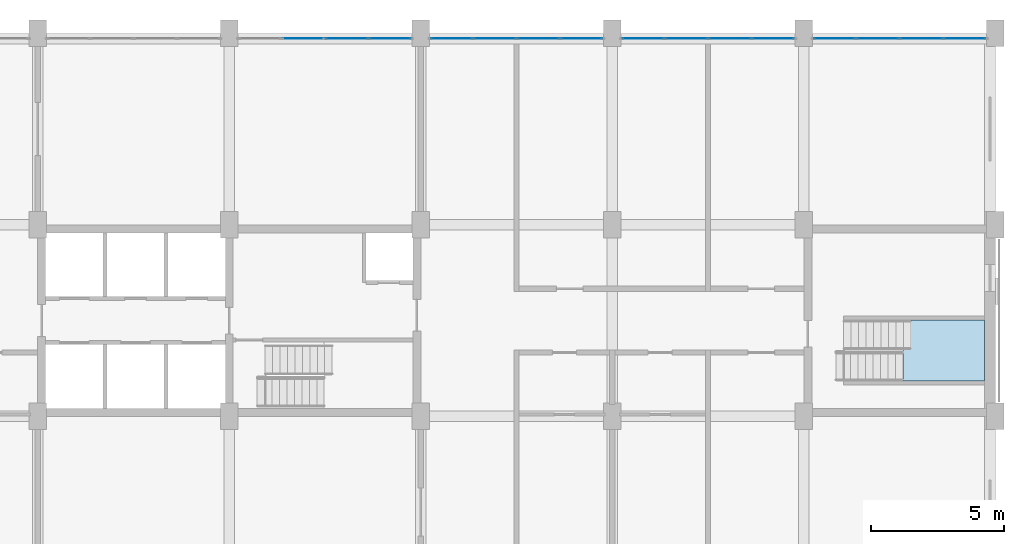
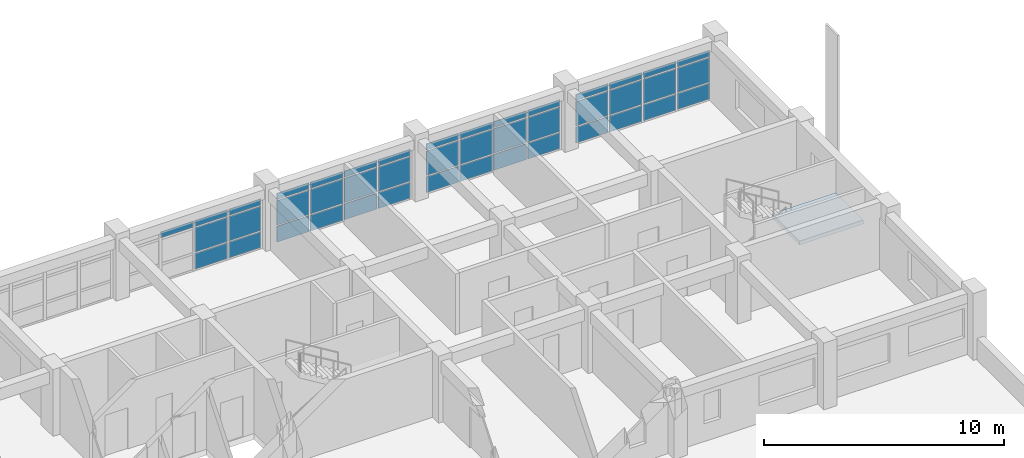
# One storey, part 21 of 31: 43 plates, 1 slab, 5 elements without a shape of their own.
"""IFC4 building model written with IfcOpenShell, lengths in metres."""

from ifc_helpers import new_model, si_unit, direction, frame, origin, origin_2d, place, context, subcontext, project, spatial, polyline, rectangle, outline, extrude, material, layer, layer_set, type_object, element, aggregate, save


model = new_model("IFC4")

# Units and contexts
model_context = context("Model", 3, precision=1e-05, world=origin(), true_north=direction((0.0, 1.0)))
body_context = subcontext(model_context, "Body", "Model", "MODEL_VIEW")
ifc_project = project(units=[si_unit("LENGTHUNIT", "METRE"), si_unit("AREAUNIT", "SQUARE_METRE"), si_unit("VOLUMEUNIT", "CUBIC_METRE"), si_unit("PLANEANGLEUNIT", "RADIAN"), si_unit("MASSUNIT", "GRAM", prefix="KILO")], contexts=[model_context])

# Site, building, storey
site_placement = place(None, origin())
site = spatial("IfcSite", under=ifc_project, at=site_placement, CompositionType="ELEMENT")
building_placement = place(site_placement, origin())
building = spatial("IfcBuilding", under=site, at=building_placement, Name="Vermilion Court Aquatics Centre", CompositionType="ELEMENT")
storey_placement = place(building_placement, frame((0.0, 0.0, 16.5)))
storey = spatial("IfcBuildingStorey", under=building, at=storey_placement, Name="L03", CompositionType="ELEMENT", Elevation=16.5)

# Curtain wall, plates
ifc_material_1 = material(Name="Aluminium 6063-T5", Category="aluminium")
curtain_wall_type = type_object("IfcCurtainWallType", Name="North block glazed bay curtain wall 1800 module", PredefinedType="NOTDEFINED", material=ifc_material_1)
curtain_wall_1_placement = place(storey_placement, origin())
curtain_wall_1 = element("IfcCurtainWall", 1, at=curtain_wall_1_placement, inside=storey, type_object=curtain_wall_type, Name="North glazed bay 4 L03", PredefinedType="NOTDEFINED")
ifc_material_2 = material(Name="Glazing", Category="glass")
ifc_layer_1 = layer(ifc_material_2, 0.028076171875)
ifc_layer_set_1 = layer_set([ifc_layer_1], Name="North block curtain wall glazing panel 28")
plate_type = type_object("IfcPlateType", Name="North block curtain wall glazing panel 28", PredefinedType="CURTAIN_PANEL", material=ifc_layer_set_1)
plate_1_placement = place(storey_placement, frame((168.38134765625, 115.0, 2.22998046875), z_axis=(0.0, 0.0, 1.0), x_axis=(1.0, 0.0, 0.0)))
plate_1 = element("IfcPlate", 2, at=plate_1_placement, type_object=plate_type, Name="UCW1 panel 2.3", PredefinedType="CURTAIN_PANEL", context=body_context, shape_type="SweptSolid", body=[
    extrude(rectangle(XDim=1.577392578125, YDim=0.028076171875, at=origin_2d()), origin(), (0.0, 0.0, 1.0), 0.31005859375),
])
plate_2_placement = place(storey_placement, frame((170.018798828125, 115.0, 0.06005859375), z_axis=(0.0, 0.0, 1.0), x_axis=(1.0, 0.0, 0.0)))
plate_2 = element("IfcPlate", 3, at=plate_2_placement, type_object=plate_type, Name="UCW1 panel 3.1", PredefinedType="CURTAIN_PANEL", context=body_context, shape_type="SweptSolid", body=[
    extrude(rectangle(XDim=1.577392578125, YDim=0.028076171875, at=origin_2d()), origin(), (0.0, 0.0, 1.0), 0.81005859375),
])
plate_3_placement = place(storey_placement, frame((170.018798828125, 115.0, 0.93017578125), z_axis=(0.0, 0.0, 1.0), x_axis=(1.0, 0.0, 0.0)))
plate_3 = element("IfcPlate", 4, at=plate_3_placement, type_object=plate_type, Name="UCW1 panel 3.2", PredefinedType="CURTAIN_PANEL", context=body_context, shape_type="SweptSolid", body=[
    extrude(rectangle(XDim=1.577392578125, YDim=0.028076171875, at=origin_2d()), origin(), (0.0, 0.0, 1.0), 1.239990234375),
])
plate_4_placement = place(storey_placement, frame((170.018798828125, 115.0, 2.22998046875), z_axis=(0.0, 0.0, 1.0), x_axis=(1.0, 0.0, 0.0)))
plate_4 = element("IfcPlate", 5, at=plate_4_placement, type_object=plate_type, Name="UCW1 panel 3.3", PredefinedType="CURTAIN_PANEL", context=body_context, shape_type="SweptSolid", body=[
    extrude(rectangle(XDim=1.577392578125, YDim=0.028076171875, at=origin_2d()), origin(), (0.0, 0.0, 1.0), 0.31005859375),
])
plate_5_placement = place(storey_placement, frame((171.641357421875, 115.0, 0.06005859375), z_axis=(0.0, 0.0, 1.0), x_axis=(1.0, 0.0, 0.0)))
plate_5 = element("IfcPlate", 6, at=plate_5_placement, type_object=plate_type, Name="UCW1 panel 4.1", PredefinedType="CURTAIN_PANEL", context=body_context, shape_type="SweptSolid", body=[
    extrude(rectangle(XDim=1.547607421875, YDim=0.028076171875, at=origin_2d()), origin(), (0.0, 0.0, 1.0), 0.81005859375),
])
plate_6_placement = place(storey_placement, frame((171.641357421875, 115.0, 0.93017578125), z_axis=(0.0, 0.0, 1.0), x_axis=(1.0, 0.0, 0.0)))
plate_6 = element("IfcPlate", 7, at=plate_6_placement, type_object=plate_type, Name="UCW1 panel 4.2", PredefinedType="CURTAIN_PANEL", context=body_context, shape_type="SweptSolid", body=[
    extrude(rectangle(XDim=1.547607421875, YDim=0.028076171875, at=origin_2d()), origin(), (0.0, 0.0, 1.0), 1.239990234375),
])
plate_7_placement = place(storey_placement, frame((171.641357421875, 115.0, 2.22998046875), z_axis=(0.0, 0.0, 1.0), x_axis=(1.0, 0.0, 0.0)))
plate_7 = element("IfcPlate", 8, at=plate_7_placement, type_object=plate_type, Name="UCW1 panel 4.3", PredefinedType="CURTAIN_PANEL", context=body_context, shape_type="SweptSolid", body=[
    extrude(rectangle(XDim=1.547607421875, YDim=0.028076171875, at=origin_2d()), origin(), (0.0, 0.0, 1.0), 0.31005859375),
])
aggregate(curtain_wall_1, [plate_1, plate_2, plate_3, plate_4, plate_5, plate_6, plate_7])

curtain_wall_2_placement = place(storey_placement, origin())
curtain_wall_2 = element("IfcCurtainWall", 9, at=curtain_wall_2_placement, inside=storey, type_object=curtain_wall_type, Name="North glazed bay 5 L03", PredefinedType="NOTDEFINED")
plate_8_placement = place(storey_placement, frame((173.958740234375, 115.0, 0.06005859375), z_axis=(0.0, 0.0, 1.0), x_axis=(1.0, 0.0, 0.0)))
plate_8 = element("IfcPlate", 10, at=plate_8_placement, type_object=plate_type, Name="UCW1 panel 1.1", PredefinedType="CURTAIN_PANEL", context=body_context, shape_type="SweptSolid", body=[
    extrude(rectangle(XDim=1.547607421875, YDim=0.028076171875, at=origin_2d()), origin(), (0.0, 0.0, 1.0), 0.81005859375),
])
plate_9_placement = place(storey_placement, frame((173.958740234375, 115.0, 0.93017578125), z_axis=(0.0, 0.0, 1.0), x_axis=(1.0, 0.0, 0.0)))
plate_9 = element("IfcPlate", 11, at=plate_9_placement, type_object=plate_type, Name="UCW1 panel 1.2", PredefinedType="CURTAIN_PANEL", context=body_context, shape_type="SweptSolid", body=[
    extrude(rectangle(XDim=1.547607421875, YDim=0.028076171875, at=origin_2d()), origin(), (0.0, 0.0, 1.0), 1.239990234375),
])
plate_10_placement = place(storey_placement, frame((173.958740234375, 115.0, 2.22998046875), z_axis=(0.0, 0.0, 1.0), x_axis=(1.0, 0.0, 0.0)))
plate_10 = element("IfcPlate", 12, at=plate_10_placement, type_object=plate_type, Name="UCW1 panel 1.3", PredefinedType="CURTAIN_PANEL", context=body_context, shape_type="SweptSolid", body=[
    extrude(rectangle(XDim=1.547607421875, YDim=0.028076171875, at=origin_2d()), origin(), (0.0, 0.0, 1.0), 0.31005859375),
])
plate_11_placement = place(storey_placement, frame((175.581298828125, 115.0, 0.06005859375), z_axis=(0.0, 0.0, 1.0), x_axis=(1.0, 0.0, 0.0)))
plate_11 = element("IfcPlate", 13, at=plate_11_placement, type_object=plate_type, Name="UCW1 panel 2.1", PredefinedType="CURTAIN_PANEL", context=body_context, shape_type="SweptSolid", body=[
    extrude(rectangle(XDim=1.577392578125, YDim=0.028076171875, at=origin_2d()), origin(), (0.0, 0.0, 1.0), 0.81005859375),
])
plate_12_placement = place(storey_placement, frame((175.581298828125, 115.0, 0.93017578125), z_axis=(0.0, 0.0, 1.0), x_axis=(1.0, 0.0, 0.0)))
plate_12 = element("IfcPlate", 14, at=plate_12_placement, type_object=plate_type, Name="UCW1 panel 2.2", PredefinedType="CURTAIN_PANEL", context=body_context, shape_type="SweptSolid", body=[
    extrude(rectangle(XDim=1.577392578125, YDim=0.028076171875, at=origin_2d()), origin(), (0.0, 0.0, 1.0), 1.239990234375),
])
plate_13_placement = place(storey_placement, frame((175.581298828125, 115.0, 2.22998046875), z_axis=(0.0, 0.0, 1.0), x_axis=(1.0, 0.0, 0.0)))
plate_13 = element("IfcPlate", 15, at=plate_13_placement, type_object=plate_type, Name="UCW1 panel 2.3", PredefinedType="CURTAIN_PANEL", context=body_context, shape_type="SweptSolid", body=[
    extrude(rectangle(XDim=1.577392578125, YDim=0.028076171875, at=origin_2d()), origin(), (0.0, 0.0, 1.0), 0.31005859375),
])
plate_14_placement = place(storey_placement, frame((177.21875, 115.0, 0.06005859375), z_axis=(0.0, 0.0, 1.0), x_axis=(1.0, 0.0, 0.0)))
plate_14 = element("IfcPlate", 16, at=plate_14_placement, type_object=plate_type, Name="UCW1 panel 3.1", PredefinedType="CURTAIN_PANEL", context=body_context, shape_type="SweptSolid", body=[
    extrude(rectangle(XDim=1.577392578125, YDim=0.028076171875, at=origin_2d()), origin(), (0.0, 0.0, 1.0), 0.81005859375),
])
plate_15_placement = place(storey_placement, frame((177.21875, 115.0, 0.93017578125), z_axis=(0.0, 0.0, 1.0), x_axis=(1.0, 0.0, 0.0)))
plate_15 = element("IfcPlate", 17, at=plate_15_placement, type_object=plate_type, Name="UCW1 panel 3.2", PredefinedType="CURTAIN_PANEL", context=body_context, shape_type="SweptSolid", body=[
    extrude(rectangle(XDim=1.577392578125, YDim=0.028076171875, at=origin_2d()), origin(), (0.0, 0.0, 1.0), 1.239990234375),
])
plate_16_placement = place(storey_placement, frame((177.21875, 115.0, 2.22998046875), z_axis=(0.0, 0.0, 1.0), x_axis=(1.0, 0.0, 0.0)))
plate_16 = element("IfcPlate", 18, at=plate_16_placement, type_object=plate_type, Name="UCW1 panel 3.3", PredefinedType="CURTAIN_PANEL", context=body_context, shape_type="SweptSolid", body=[
    extrude(rectangle(XDim=1.577392578125, YDim=0.028076171875, at=origin_2d()), origin(), (0.0, 0.0, 1.0), 0.31005859375),
])
plate_17_placement = place(storey_placement, frame((178.84130859375, 115.0, 0.06005859375), z_axis=(0.0, 0.0, 1.0), x_axis=(1.0, 0.0, 0.0)))
plate_17 = element("IfcPlate", 19, at=plate_17_placement, type_object=plate_type, Name="UCW1 panel 4.1", PredefinedType="CURTAIN_PANEL", context=body_context, shape_type="SweptSolid", body=[
    extrude(rectangle(XDim=1.547607421875, YDim=0.028076171875, at=origin_2d()), origin(), (0.0, 0.0, 1.0), 0.81005859375),
])
plate_18_placement = place(storey_placement, frame((178.84130859375, 115.0, 0.93017578125), z_axis=(0.0, 0.0, 1.0), x_axis=(1.0, 0.0, 0.0)))
plate_18 = element("IfcPlate", 20, at=plate_18_placement, type_object=plate_type, Name="UCW1 panel 4.2", PredefinedType="CURTAIN_PANEL", context=body_context, shape_type="SweptSolid", body=[
    extrude(rectangle(XDim=1.547607421875, YDim=0.028076171875, at=origin_2d()), origin(), (0.0, 0.0, 1.0), 1.239990234375),
])
plate_19_placement = place(storey_placement, frame((178.84130859375, 115.0, 2.22998046875), z_axis=(0.0, 0.0, 1.0), x_axis=(1.0, 0.0, 0.0)))
plate_19 = element("IfcPlate", 21, at=plate_19_placement, type_object=plate_type, Name="UCW1 panel 4.3", PredefinedType="CURTAIN_PANEL", context=body_context, shape_type="SweptSolid", body=[
    extrude(rectangle(XDim=1.547607421875, YDim=0.028076171875, at=origin_2d()), origin(), (0.0, 0.0, 1.0), 0.31005859375),
])
aggregate(curtain_wall_2, [plate_8, plate_9, plate_10, plate_11, plate_12, plate_13, plate_14, plate_15, plate_16, plate_17, plate_18, plate_19])

curtain_wall_3_placement = place(storey_placement, origin())
curtain_wall_3 = element("IfcCurtainWall", 22, at=curtain_wall_3_placement, inside=storey, type_object=curtain_wall_type, Name="North glazed bay 6 L03", PredefinedType="NOTDEFINED")
plate_20_placement = place(storey_placement, frame((181.15869140625, 115.0, 0.06005859375), z_axis=(0.0, 0.0, 1.0), x_axis=(1.0, 0.0, 0.0)))
plate_20 = element("IfcPlate", 23, at=plate_20_placement, type_object=plate_type, Name="UCW1 panel 1.1", PredefinedType="CURTAIN_PANEL", context=body_context, shape_type="SweptSolid", body=[
    extrude(rectangle(XDim=1.547607421875, YDim=0.028076171875, at=origin_2d()), origin(), (0.0, 0.0, 1.0), 0.81005859375),
])
plate_21_placement = place(storey_placement, frame((181.15869140625, 115.0, 0.93017578125), z_axis=(0.0, 0.0, 1.0), x_axis=(1.0, 0.0, 0.0)))
plate_21 = element("IfcPlate", 24, at=plate_21_placement, type_object=plate_type, Name="UCW1 panel 1.2", PredefinedType="CURTAIN_PANEL", context=body_context, shape_type="SweptSolid", body=[
    extrude(rectangle(XDim=1.547607421875, YDim=0.028076171875, at=origin_2d()), origin(), (0.0, 0.0, 1.0), 1.239990234375),
])
plate_22_placement = place(storey_placement, frame((181.15869140625, 115.0, 2.22998046875), z_axis=(0.0, 0.0, 1.0), x_axis=(1.0, 0.0, 0.0)))
plate_22 = element("IfcPlate", 25, at=plate_22_placement, type_object=plate_type, Name="UCW1 panel 1.3", PredefinedType="CURTAIN_PANEL", context=body_context, shape_type="SweptSolid", body=[
    extrude(rectangle(XDim=1.547607421875, YDim=0.028076171875, at=origin_2d()), origin(), (0.0, 0.0, 1.0), 0.31005859375),
])
plate_23_placement = place(storey_placement, frame((182.78125, 115.0, 0.06005859375), z_axis=(0.0, 0.0, 1.0), x_axis=(1.0, 0.0, 0.0)))
plate_23 = element("IfcPlate", 26, at=plate_23_placement, type_object=plate_type, Name="UCW1 panel 2.1", PredefinedType="CURTAIN_PANEL", context=body_context, shape_type="SweptSolid", body=[
    extrude(rectangle(XDim=1.577392578125, YDim=0.028076171875, at=origin_2d()), origin(), (0.0, 0.0, 1.0), 0.81005859375),
])
plate_24_placement = place(storey_placement, frame((182.78125, 115.0, 0.93017578125), z_axis=(0.0, 0.0, 1.0), x_axis=(1.0, 0.0, 0.0)))
plate_24 = element("IfcPlate", 27, at=plate_24_placement, type_object=plate_type, Name="UCW1 panel 2.2", PredefinedType="CURTAIN_PANEL", context=body_context, shape_type="SweptSolid", body=[
    extrude(rectangle(XDim=1.577392578125, YDim=0.028076171875, at=origin_2d()), origin(), (0.0, 0.0, 1.0), 1.239990234375),
])
plate_25_placement = place(storey_placement, frame((182.78125, 115.0, 2.22998046875), z_axis=(0.0, 0.0, 1.0), x_axis=(1.0, 0.0, 0.0)))
plate_25 = element("IfcPlate", 28, at=plate_25_placement, type_object=plate_type, Name="UCW1 panel 2.3", PredefinedType="CURTAIN_PANEL", context=body_context, shape_type="SweptSolid", body=[
    extrude(rectangle(XDim=1.577392578125, YDim=0.028076171875, at=origin_2d()), origin(), (0.0, 0.0, 1.0), 0.31005859375),
])
plate_26_placement = place(storey_placement, frame((184.418701171875, 115.0, 0.06005859375), z_axis=(0.0, 0.0, 1.0), x_axis=(1.0, 0.0, 0.0)))
plate_26 = element("IfcPlate", 29, at=plate_26_placement, type_object=plate_type, Name="UCW1 panel 3.1", PredefinedType="CURTAIN_PANEL", context=body_context, shape_type="SweptSolid", body=[
    extrude(rectangle(XDim=1.577392578125, YDim=0.028076171875, at=origin_2d()), origin(), (0.0, 0.0, 1.0), 0.81005859375),
])
plate_27_placement = place(storey_placement, frame((184.418701171875, 115.0, 0.93017578125), z_axis=(0.0, 0.0, 1.0), x_axis=(1.0, 0.0, 0.0)))
plate_27 = element("IfcPlate", 30, at=plate_27_placement, type_object=plate_type, Name="UCW1 panel 3.2", PredefinedType="CURTAIN_PANEL", context=body_context, shape_type="SweptSolid", body=[
    extrude(rectangle(XDim=1.577392578125, YDim=0.028076171875, at=origin_2d()), origin(), (0.0, 0.0, 1.0), 1.239990234375),
])
plate_28_placement = place(storey_placement, frame((184.418701171875, 115.0, 2.22998046875), z_axis=(0.0, 0.0, 1.0), x_axis=(1.0, 0.0, 0.0)))
plate_28 = element("IfcPlate", 31, at=plate_28_placement, type_object=plate_type, Name="UCW1 panel 3.3", PredefinedType="CURTAIN_PANEL", context=body_context, shape_type="SweptSolid", body=[
    extrude(rectangle(XDim=1.577392578125, YDim=0.028076171875, at=origin_2d()), origin(), (0.0, 0.0, 1.0), 0.31005859375),
])
plate_29_placement = place(storey_placement, frame((186.041259765625, 115.0, 0.06005859375), z_axis=(0.0, 0.0, 1.0), x_axis=(1.0, 0.0, 0.0)))
plate_29 = element("IfcPlate", 32, at=plate_29_placement, type_object=plate_type, Name="UCW1 panel 4.1", PredefinedType="CURTAIN_PANEL", context=body_context, shape_type="SweptSolid", body=[
    extrude(rectangle(XDim=1.547607421875, YDim=0.028076171875, at=origin_2d()), origin(), (0.0, 0.0, 1.0), 0.81005859375),
])
plate_30_placement = place(storey_placement, frame((186.041259765625, 115.0, 0.93017578125), z_axis=(0.0, 0.0, 1.0), x_axis=(1.0, 0.0, 0.0)))
plate_30 = element("IfcPlate", 33, at=plate_30_placement, type_object=plate_type, Name="UCW1 panel 4.2", PredefinedType="CURTAIN_PANEL", context=body_context, shape_type="SweptSolid", body=[
    extrude(rectangle(XDim=1.547607421875, YDim=0.028076171875, at=origin_2d()), origin(), (0.0, 0.0, 1.0), 1.239990234375),
])
plate_31_placement = place(storey_placement, frame((186.041259765625, 115.0, 2.22998046875), z_axis=(0.0, 0.0, 1.0), x_axis=(1.0, 0.0, 0.0)))
plate_31 = element("IfcPlate", 34, at=plate_31_placement, type_object=plate_type, Name="UCW1 panel 4.3", PredefinedType="CURTAIN_PANEL", context=body_context, shape_type="SweptSolid", body=[
    extrude(rectangle(XDim=1.547607421875, YDim=0.028076171875, at=origin_2d()), origin(), (0.0, 0.0, 1.0), 0.31005859375),
])
aggregate(curtain_wall_3, [plate_20, plate_21, plate_22, plate_23, plate_24, plate_25, plate_26, plate_27, plate_28, plate_29, plate_30, plate_31])

curtain_wall_4_placement = place(storey_placement, origin())
curtain_wall_4 = element("IfcCurtainWall", 35, at=curtain_wall_4_placement, inside=storey, type_object=curtain_wall_type, Name="North glazed bay 7 L03", PredefinedType="NOTDEFINED")
plate_32_placement = place(storey_placement, frame((188.358642578125, 115.0, 0.06005859375), z_axis=(0.0, 0.0, 1.0), x_axis=(1.0, 0.0, 0.0)))
plate_32 = element("IfcPlate", 36, at=plate_32_placement, type_object=plate_type, Name="UCW1 panel 1.1", PredefinedType="CURTAIN_PANEL", context=body_context, shape_type="SweptSolid", body=[
    extrude(rectangle(XDim=1.547607421875, YDim=0.028076171875, at=origin_2d()), origin(), (0.0, 0.0, 1.0), 0.81005859375),
])
plate_33_placement = place(storey_placement, frame((188.358642578125, 115.0, 0.93017578125), z_axis=(0.0, 0.0, 1.0), x_axis=(1.0, 0.0, 0.0)))
plate_33 = element("IfcPlate", 37, at=plate_33_placement, type_object=plate_type, Name="UCW1 panel 1.2", PredefinedType="CURTAIN_PANEL", context=body_context, shape_type="SweptSolid", body=[
    extrude(rectangle(XDim=1.547607421875, YDim=0.028076171875, at=origin_2d()), origin(), (0.0, 0.0, 1.0), 1.239990234375),
])
plate_34_placement = place(storey_placement, frame((188.358642578125, 115.0, 2.22998046875), z_axis=(0.0, 0.0, 1.0), x_axis=(1.0, 0.0, 0.0)))
plate_34 = element("IfcPlate", 38, at=plate_34_placement, type_object=plate_type, Name="UCW1 panel 1.3", PredefinedType="CURTAIN_PANEL", context=body_context, shape_type="SweptSolid", body=[
    extrude(rectangle(XDim=1.547607421875, YDim=0.028076171875, at=origin_2d()), origin(), (0.0, 0.0, 1.0), 0.31005859375),
])
plate_35_placement = place(storey_placement, frame((189.981201171875, 115.0, 0.06005859375), z_axis=(0.0, 0.0, 1.0), x_axis=(1.0, 0.0, 0.0)))
plate_35 = element("IfcPlate", 39, at=plate_35_placement, type_object=plate_type, Name="UCW1 panel 2.1", PredefinedType="CURTAIN_PANEL", context=body_context, shape_type="SweptSolid", body=[
    extrude(rectangle(XDim=1.577392578125, YDim=0.028076171875, at=origin_2d()), origin(), (0.0, 0.0, 1.0), 0.81005859375),
])
plate_36_placement = place(storey_placement, frame((189.981201171875, 115.0, 0.93017578125), z_axis=(0.0, 0.0, 1.0), x_axis=(1.0, 0.0, 0.0)))
plate_36 = element("IfcPlate", 40, at=plate_36_placement, type_object=plate_type, Name="UCW1 panel 2.2", PredefinedType="CURTAIN_PANEL", context=body_context, shape_type="SweptSolid", body=[
    extrude(rectangle(XDim=1.577392578125, YDim=0.028076171875, at=origin_2d()), origin(), (0.0, 0.0, 1.0), 1.239990234375),
])
plate_37_placement = place(storey_placement, frame((189.981201171875, 115.0, 2.22998046875), z_axis=(0.0, 0.0, 1.0), x_axis=(1.0, 0.0, 0.0)))
plate_37 = element("IfcPlate", 41, at=plate_37_placement, type_object=plate_type, Name="UCW1 panel 2.3", PredefinedType="CURTAIN_PANEL", context=body_context, shape_type="SweptSolid", body=[
    extrude(rectangle(XDim=1.577392578125, YDim=0.028076171875, at=origin_2d()), origin(), (0.0, 0.0, 1.0), 0.31005859375),
])
plate_38_placement = place(storey_placement, frame((191.61865234375, 115.0, 0.06005859375), z_axis=(0.0, 0.0, 1.0), x_axis=(1.0, 0.0, 0.0)))
plate_38 = element("IfcPlate", 42, at=plate_38_placement, type_object=plate_type, Name="UCW1 panel 3.1", PredefinedType="CURTAIN_PANEL", context=body_context, shape_type="SweptSolid", body=[
    extrude(rectangle(XDim=1.577392578125, YDim=0.028076171875, at=origin_2d()), origin(), (0.0, 0.0, 1.0), 0.81005859375),
])
plate_39_placement = place(storey_placement, frame((191.61865234375, 115.0, 0.93017578125), z_axis=(0.0, 0.0, 1.0), x_axis=(1.0, 0.0, 0.0)))
plate_39 = element("IfcPlate", 43, at=plate_39_placement, type_object=plate_type, Name="UCW1 panel 3.2", PredefinedType="CURTAIN_PANEL", context=body_context, shape_type="SweptSolid", body=[
    extrude(rectangle(XDim=1.577392578125, YDim=0.028076171875, at=origin_2d()), origin(), (0.0, 0.0, 1.0), 1.239990234375),
])
plate_40_placement = place(storey_placement, frame((191.61865234375, 115.0, 2.22998046875), z_axis=(0.0, 0.0, 1.0), x_axis=(1.0, 0.0, 0.0)))
plate_40 = element("IfcPlate", 44, at=plate_40_placement, type_object=plate_type, Name="UCW1 panel 3.3", PredefinedType="CURTAIN_PANEL", context=body_context, shape_type="SweptSolid", body=[
    extrude(rectangle(XDim=1.577392578125, YDim=0.028076171875, at=origin_2d()), origin(), (0.0, 0.0, 1.0), 0.31005859375),
])
plate_41_placement = place(storey_placement, frame((193.2412109375, 115.0, 0.06005859375), z_axis=(0.0, 0.0, 1.0), x_axis=(1.0, 0.0, 0.0)))
plate_41 = element("IfcPlate", 45, at=plate_41_placement, type_object=plate_type, Name="UCW1 panel 4.1", PredefinedType="CURTAIN_PANEL", context=body_context, shape_type="SweptSolid", body=[
    extrude(rectangle(XDim=1.547607421875, YDim=0.028076171875, at=origin_2d()), origin(), (0.0, 0.0, 1.0), 0.81005859375),
])
plate_42_placement = place(storey_placement, frame((193.2412109375, 115.0, 0.93017578125), z_axis=(0.0, 0.0, 1.0), x_axis=(1.0, 0.0, 0.0)))
plate_42 = element("IfcPlate", 46, at=plate_42_placement, type_object=plate_type, Name="UCW1 panel 4.2", PredefinedType="CURTAIN_PANEL", context=body_context, shape_type="SweptSolid", body=[
    extrude(rectangle(XDim=1.547607421875, YDim=0.028076171875, at=origin_2d()), origin(), (0.0, 0.0, 1.0), 1.239990234375),
])
plate_43_placement = place(storey_placement, frame((193.2412109375, 115.0, 2.22998046875), z_axis=(0.0, 0.0, 1.0), x_axis=(1.0, 0.0, 0.0)))
plate_43 = element("IfcPlate", 47, at=plate_43_placement, type_object=plate_type, Name="UCW1 panel 4.3", PredefinedType="CURTAIN_PANEL", context=body_context, shape_type="SweptSolid", body=[
    extrude(rectangle(XDim=1.547607421875, YDim=0.028076171875, at=origin_2d()), origin(), (0.0, 0.0, 1.0), 0.31005859375),
])
aggregate(curtain_wall_4, [plate_32, plate_33, plate_34, plate_35, plate_36, plate_37, plate_38, plate_39, plate_40, plate_41, plate_42, plate_43])

# Stair, slab
ifc_material_3 = material(Name="Concrete 5000 psi", Category="concrete")
stair_type = type_object("IfcStairType", Name="North block exit stair 1130", PredefinedType="HALF_TURN_STAIR", material=ifc_material_3)
stair_placement = place(storey_placement, origin())
stair = element("IfcStair", 48, at=stair_placement, inside=storey, type_object=stair_type, Name="Exit stair ST-T2 L03", PredefinedType="HALF_TURN_STAIR")
ifc_material_4 = material(Name="Concrete 5000 psi", Category="concrete")
ifc_layer_2 = layer(ifc_material_4, 0.199951171875)
ifc_layer_set_2 = layer_set([ifc_layer_2], Name="North block stair landing 200")
slab_type = type_object("IfcSlabType", Name="North block stair landing 200", PredefinedType="LANDING", material=ifc_layer_set_2)
slab_placement = place(storey_placement, frame((0.0, 0.0, 1.5)))
slab = element("IfcSlab", 49, at=slab_placement, type_object=slab_type, Name="ST-T2 landing 1", PredefinedType="LANDING", context=body_context, shape_type="SweptSolid", body=[
    extrude(outline(polyline([(190.919921875, 102.1298828125), (194.0, 102.1298828125), (194.0, 104.429931640625), (190.919921875, 104.429931640625), (190.919921875, 102.1298828125)])), origin(), (0.0, 0.0, 1.0), 0.199951171875),
])
aggregate(stair, [slab])

save(model, "model.ifc")
